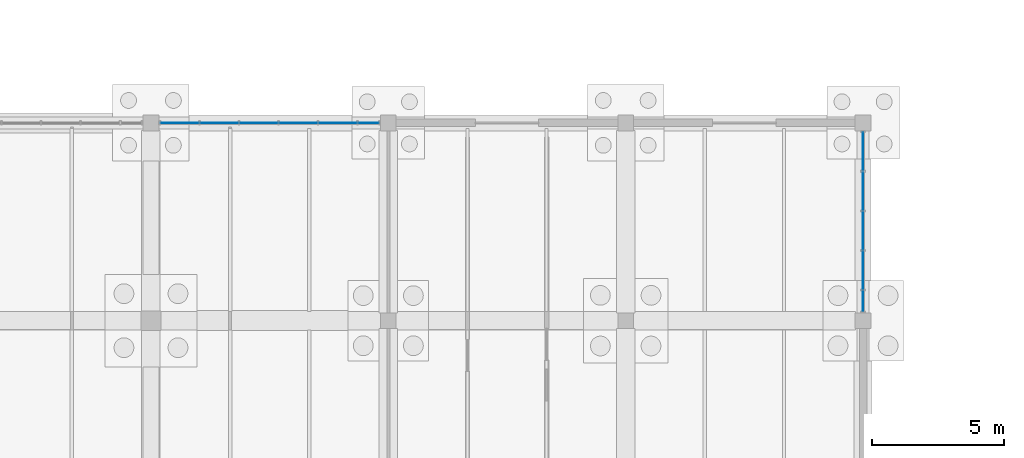
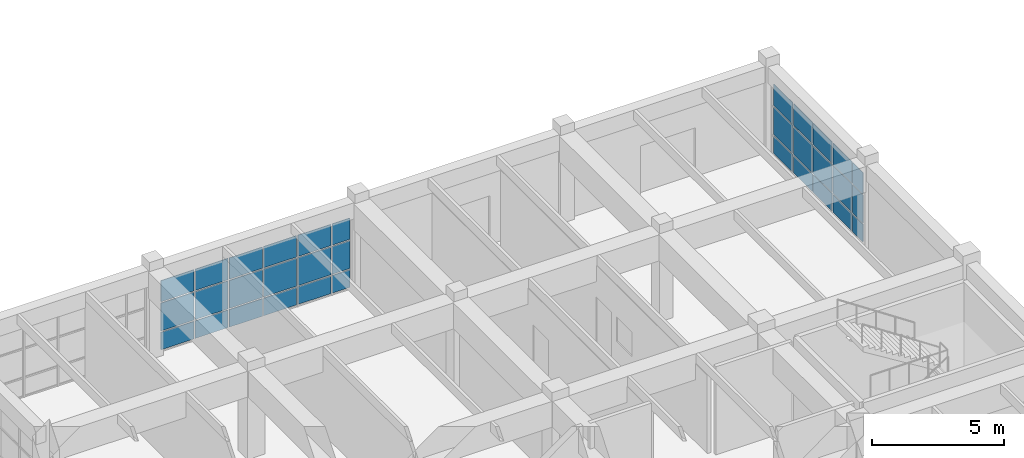
# One storey, part 52 of 93: 33 plates, 2 elements without a shape of their own.
"""IFC4 building model written with IfcOpenShell, lengths in metres."""

from ifc_helpers import new_model, si_unit, direction, frame, origin, origin_2d, place, context, subcontext, project, spatial, rectangle, extrude, material, layer, layer_set, type_object, element, aggregate, save


model = new_model("IFC4")

# Units and contexts
model_context = context("Model", 3, precision=1e-05, world=origin(), true_north=direction((0.0, 1.0)))
body_context = subcontext(model_context, "Body", "Model", "MODEL_VIEW")
ifc_project = project(units=[si_unit("LENGTHUNIT", "METRE"), si_unit("AREAUNIT", "SQUARE_METRE"), si_unit("VOLUMEUNIT", "CUBIC_METRE"), si_unit("PLANEANGLEUNIT", "RADIAN"), si_unit("MASSUNIT", "GRAM", prefix="KILO")], contexts=[model_context])

# Site, building, storey
site_placement = place(None, origin())
site = spatial("IfcSite", under=ifc_project, at=site_placement, CompositionType="ELEMENT")
building_placement = place(site_placement, origin())
building = spatial("IfcBuilding", under=site, at=building_placement, Name="Marnridge Secondary College", CompositionType="ELEMENT")
storey_placement = place(building_placement, origin())
storey = spatial("IfcBuildingStorey", under=building, at=storey_placement, Name="L00", CompositionType="ELEMENT", Elevation=0.0)

# Curtain wall, plates
ifc_material_1 = material(Name="Thermally broken aluminium and low-E glazing", Category="aluminium")
ifc_layer_1 = layer(ifc_material_1, 0.159912109375)
ifc_layer_set_1 = layer_set([ifc_layer_1], Name="CW-MOD-1500")
curtain_wall_type = type_object("IfcCurtainWallType", Name="CW-MOD-1500", PredefinedType="NOTDEFINED", material=ifc_layer_set_1)
curtain_wall_1_placement = place(storey_placement, origin())
curtain_wall_1 = element("IfcCurtainWall", 1, at=curtain_wall_1_placement, inside=storey, type_object=curtain_wall_type, Name="Unitised curtain wall CW-L00-002", PredefinedType="NOTDEFINED")
ifc_material_2 = material(Name="Double-glazed low-E argon unit", Category="glass")
ifc_layer_2 = layer(ifc_material_2, 0.028076171875)
ifc_layer_set_2 = layer_set([ifc_layer_2], Name="CWP-GLZ28")
plate_type = type_object("IfcPlateType", Name="CWP-GLZ28", PredefinedType="CURTAIN_PANEL", material=ifc_layer_set_2)
plate_1_placement = place(storey_placement, frame((64.083984375, 82.5, 0.06005859375), z_axis=(0.0, 0.0, 1.0), x_axis=(1.0, 0.0, 0.0)))
plate_1 = element("IfcPlate", 2, at=plate_1_placement, type_object=plate_type, Name="CW-L00-002 panel 1.1", PredefinedType="CURTAIN_PANEL", context=body_context, shape_type="SweptSolid", body=[
    extrude(rectangle(XDim=1.43994140625, YDim=0.028076171875, at=origin_2d()), origin(), (0.0, 0.0, 1.0), 0.81005859375),
])
plate_2_placement = place(storey_placement, frame((64.083984375, 82.5, 0.929931640625), z_axis=(0.0, 0.0, 1.0), x_axis=(1.0, 0.0, 0.0)))
plate_2 = element("IfcPlate", 3, at=plate_2_placement, type_object=plate_type, Name="CW-L00-002 panel 1.2", PredefinedType="CURTAIN_PANEL", context=body_context, shape_type="SweptSolid", body=[
    extrude(rectangle(XDim=1.43994140625, YDim=0.028076171875, at=origin_2d()), origin(), (0.0, 0.0, 1.0), 1.2900390625),
])
plate_3_placement = place(storey_placement, frame((64.083984375, 82.5, 2.280029296875), z_axis=(0.0, 0.0, 1.0), x_axis=(1.0, 0.0, 0.0)))
plate_3 = element("IfcPlate", 4, at=plate_3_placement, type_object=plate_type, Name="CW-L00-002 panel 1.3", PredefinedType="CURTAIN_PANEL", context=body_context, shape_type="SweptSolid", body=[
    extrude(rectangle(XDim=1.43994140625, YDim=0.028076171875, at=origin_2d()), origin(), (0.0, 0.0, 1.0), 0.98193359375),
])
plate_4_placement = place(storey_placement, frame((65.583984375, 82.5, 0.06005859375), z_axis=(0.0, 0.0, 1.0), x_axis=(1.0, 0.0, 0.0)))
plate_4 = element("IfcPlate", 5, at=plate_4_placement, type_object=plate_type, Name="CW-L00-002 panel 2.1", PredefinedType="CURTAIN_PANEL", context=body_context, shape_type="SweptSolid", body=[
    extrude(rectangle(XDim=1.43994140625, YDim=0.028076171875, at=origin_2d()), origin(), (0.0, 0.0, 1.0), 0.81005859375),
])
plate_5_placement = place(storey_placement, frame((65.583984375, 82.5, 0.929931640625), z_axis=(0.0, 0.0, 1.0), x_axis=(1.0, 0.0, 0.0)))
plate_5 = element("IfcPlate", 6, at=plate_5_placement, type_object=plate_type, Name="CW-L00-002 panel 2.2", PredefinedType="CURTAIN_PANEL", context=body_context, shape_type="SweptSolid", body=[
    extrude(rectangle(XDim=1.43994140625, YDim=0.028076171875, at=origin_2d()), origin(), (0.0, 0.0, 1.0), 1.2900390625),
])
plate_6_placement = place(storey_placement, frame((65.583984375, 82.5, 2.280029296875), z_axis=(0.0, 0.0, 1.0), x_axis=(1.0, 0.0, 0.0)))
plate_6 = element("IfcPlate", 7, at=plate_6_placement, type_object=plate_type, Name="CW-L00-002 panel 2.3", PredefinedType="CURTAIN_PANEL", context=body_context, shape_type="SweptSolid", body=[
    extrude(rectangle(XDim=1.43994140625, YDim=0.028076171875, at=origin_2d()), origin(), (0.0, 0.0, 1.0), 0.98193359375),
])
plate_7_placement = place(storey_placement, frame((67.083984375, 82.5, 0.06005859375), z_axis=(0.0, 0.0, 1.0), x_axis=(1.0, 0.0, 0.0)))
plate_7 = element("IfcPlate", 8, at=plate_7_placement, type_object=plate_type, Name="CW-L00-002 panel 3.1", PredefinedType="CURTAIN_PANEL", context=body_context, shape_type="SweptSolid", body=[
    extrude(rectangle(XDim=1.43994140625, YDim=0.028076171875, at=origin_2d()), origin(), (0.0, 0.0, 1.0), 0.81005859375),
])
plate_8_placement = place(storey_placement, frame((67.083984375, 82.5, 0.929931640625), z_axis=(0.0, 0.0, 1.0), x_axis=(1.0, 0.0, 0.0)))
plate_8 = element("IfcPlate", 9, at=plate_8_placement, type_object=plate_type, Name="CW-L00-002 panel 3.2", PredefinedType="CURTAIN_PANEL", context=body_context, shape_type="SweptSolid", body=[
    extrude(rectangle(XDim=1.43994140625, YDim=0.028076171875, at=origin_2d()), origin(), (0.0, 0.0, 1.0), 1.2900390625),
])
plate_9_placement = place(storey_placement, frame((67.083984375, 82.5, 2.280029296875), z_axis=(0.0, 0.0, 1.0), x_axis=(1.0, 0.0, 0.0)))
plate_9 = element("IfcPlate", 10, at=plate_9_placement, type_object=plate_type, Name="CW-L00-002 panel 3.3", PredefinedType="CURTAIN_PANEL", context=body_context, shape_type="SweptSolid", body=[
    extrude(rectangle(XDim=1.43994140625, YDim=0.028076171875, at=origin_2d()), origin(), (0.0, 0.0, 1.0), 0.98193359375),
])
plate_10_placement = place(storey_placement, frame((68.583984375, 82.5, 0.06005859375), z_axis=(0.0, 0.0, 1.0), x_axis=(1.0, 0.0, 0.0)))
plate_10 = element("IfcPlate", 11, at=plate_10_placement, type_object=plate_type, Name="CW-L00-002 panel 4.1", PredefinedType="CURTAIN_PANEL", context=body_context, shape_type="SweptSolid", body=[
    extrude(rectangle(XDim=1.43994140625, YDim=0.028076171875, at=origin_2d()), origin(), (0.0, 0.0, 1.0), 0.81005859375),
])
plate_11_placement = place(storey_placement, frame((68.583984375, 82.5, 0.929931640625), z_axis=(0.0, 0.0, 1.0), x_axis=(1.0, 0.0, 0.0)))
plate_11 = element("IfcPlate", 12, at=plate_11_placement, type_object=plate_type, Name="CW-L00-002 panel 4.2", PredefinedType="CURTAIN_PANEL", context=body_context, shape_type="SweptSolid", body=[
    extrude(rectangle(XDim=1.43994140625, YDim=0.028076171875, at=origin_2d()), origin(), (0.0, 0.0, 1.0), 1.2900390625),
])
plate_12_placement = place(storey_placement, frame((68.583984375, 82.5, 2.280029296875), z_axis=(0.0, 0.0, 1.0), x_axis=(1.0, 0.0, 0.0)))
plate_12 = element("IfcPlate", 13, at=plate_12_placement, type_object=plate_type, Name="CW-L00-002 panel 4.3", PredefinedType="CURTAIN_PANEL", context=body_context, shape_type="SweptSolid", body=[
    extrude(rectangle(XDim=1.43994140625, YDim=0.028076171875, at=origin_2d()), origin(), (0.0, 0.0, 1.0), 0.98193359375),
])
plate_13_placement = place(storey_placement, frame((70.083984375, 82.5, 0.06005859375), z_axis=(0.0, 0.0, 1.0), x_axis=(1.0, 0.0, 0.0)))
plate_13 = element("IfcPlate", 14, at=plate_13_placement, type_object=plate_type, Name="CW-L00-002 panel 5.1", PredefinedType="CURTAIN_PANEL", context=body_context, shape_type="SweptSolid", body=[
    extrude(rectangle(XDim=1.43994140625, YDim=0.028076171875, at=origin_2d()), origin(), (0.0, 0.0, 1.0), 0.81005859375),
])
plate_14_placement = place(storey_placement, frame((70.083984375, 82.5, 0.929931640625), z_axis=(0.0, 0.0, 1.0), x_axis=(1.0, 0.0, 0.0)))
plate_14 = element("IfcPlate", 15, at=plate_14_placement, type_object=plate_type, Name="CW-L00-002 panel 5.2", PredefinedType="CURTAIN_PANEL", context=body_context, shape_type="SweptSolid", body=[
    extrude(rectangle(XDim=1.43994140625, YDim=0.028076171875, at=origin_2d()), origin(), (0.0, 0.0, 1.0), 1.2900390625),
])
plate_15_placement = place(storey_placement, frame((70.083984375, 82.5, 2.280029296875), z_axis=(0.0, 0.0, 1.0), x_axis=(1.0, 0.0, 0.0)))
plate_15 = element("IfcPlate", 16, at=plate_15_placement, type_object=plate_type, Name="CW-L00-002 panel 5.3", PredefinedType="CURTAIN_PANEL", context=body_context, shape_type="SweptSolid", body=[
    extrude(rectangle(XDim=1.43994140625, YDim=0.028076171875, at=origin_2d()), origin(), (0.0, 0.0, 1.0), 0.98193359375),
])
plate_16_placement = place(storey_placement, frame((71.25, 82.5, 0.06005859375), z_axis=(0.0, 0.0, 1.0), x_axis=(1.0, 0.0, 0.0)))
plate_16 = element("IfcPlate", 17, at=plate_16_placement, type_object=plate_type, Name="CW-L00-002 panel 6.1", PredefinedType="CURTAIN_PANEL", context=body_context, shape_type="SweptSolid", body=[
    extrude(rectangle(XDim=0.77197265625, YDim=0.028076171875, at=origin_2d()), origin(), (0.0, 0.0, 1.0), 0.81005859375),
])
plate_17_placement = place(storey_placement, frame((71.25, 82.5, 0.929931640625), z_axis=(0.0, 0.0, 1.0), x_axis=(1.0, 0.0, 0.0)))
plate_17 = element("IfcPlate", 18, at=plate_17_placement, type_object=plate_type, Name="CW-L00-002 panel 6.2", PredefinedType="CURTAIN_PANEL", context=body_context, shape_type="SweptSolid", body=[
    extrude(rectangle(XDim=0.77197265625, YDim=0.028076171875, at=origin_2d()), origin(), (0.0, 0.0, 1.0), 1.2900390625),
])
plate_18_placement = place(storey_placement, frame((71.25, 82.5, 2.280029296875), z_axis=(0.0, 0.0, 1.0), x_axis=(1.0, 0.0, 0.0)))
plate_18 = element("IfcPlate", 19, at=plate_18_placement, type_object=plate_type, Name="CW-L00-002 panel 6.3", PredefinedType="CURTAIN_PANEL", context=body_context, shape_type="SweptSolid", body=[
    extrude(rectangle(XDim=0.77197265625, YDim=0.028076171875, at=origin_2d()), origin(), (0.0, 0.0, 1.0), 0.98193359375),
])
aggregate(curtain_wall_1, [plate_1, plate_2, plate_3, plate_4, plate_5, plate_6, plate_7, plate_8, plate_9, plate_10, plate_11, plate_12, plate_13, plate_14, plate_15, plate_16, plate_17, plate_18])

curtain_wall_2_placement = place(storey_placement, origin())
curtain_wall_2 = element("IfcCurtainWall", 20, at=curtain_wall_2_placement, inside=storey, type_object=curtain_wall_type, Name="Unitised curtain wall CW-L00-003", PredefinedType="NOTDEFINED")
plate_19_placement = place(storey_placement, frame((90.0, 81.416015625, 0.06005859375), z_axis=(0.0, 0.0, 1.0), x_axis=(0.0, -1.0, 0.0)))
plate_19 = element("IfcPlate", 21, at=plate_19_placement, type_object=plate_type, Name="CW-L00-003 panel 1.1", PredefinedType="CURTAIN_PANEL", context=body_context, shape_type="SweptSolid", body=[
    extrude(rectangle(XDim=1.43994140625, YDim=0.028076171875, at=origin_2d()), origin(), (0.0, 0.0, 1.0), 0.81005859375),
])
plate_20_placement = place(storey_placement, frame((90.0, 81.416015625, 0.929931640625), z_axis=(0.0, 0.0, 1.0), x_axis=(0.0, -1.0, 0.0)))
plate_20 = element("IfcPlate", 22, at=plate_20_placement, type_object=plate_type, Name="CW-L00-003 panel 1.2", PredefinedType="CURTAIN_PANEL", context=body_context, shape_type="SweptSolid", body=[
    extrude(rectangle(XDim=1.43994140625, YDim=0.028076171875, at=origin_2d()), origin(), (0.0, 0.0, 1.0), 1.2900390625),
])
plate_21_placement = place(storey_placement, frame((90.0, 81.416015625, 2.280029296875), z_axis=(0.0, 0.0, 1.0), x_axis=(0.0, -1.0, 0.0)))
plate_21 = element("IfcPlate", 23, at=plate_21_placement, type_object=plate_type, Name="CW-L00-003 panel 1.3", PredefinedType="CURTAIN_PANEL", context=body_context, shape_type="SweptSolid", body=[
    extrude(rectangle(XDim=1.43994140625, YDim=0.028076171875, at=origin_2d()), origin(), (0.0, 0.0, 1.0), 0.98193359375),
])
plate_22_placement = place(storey_placement, frame((90.0, 79.916015625, 0.06005859375), z_axis=(0.0, 0.0, 1.0), x_axis=(0.0, -1.0, 0.0)))
plate_22 = element("IfcPlate", 24, at=plate_22_placement, type_object=plate_type, Name="CW-L00-003 panel 2.1", PredefinedType="CURTAIN_PANEL", context=body_context, shape_type="SweptSolid", body=[
    extrude(rectangle(XDim=1.43994140625, YDim=0.028076171875, at=origin_2d()), origin(), (0.0, 0.0, 1.0), 0.81005859375),
])
plate_23_placement = place(storey_placement, frame((90.0, 79.916015625, 0.929931640625), z_axis=(0.0, 0.0, 1.0), x_axis=(0.0, -1.0, 0.0)))
plate_23 = element("IfcPlate", 25, at=plate_23_placement, type_object=plate_type, Name="CW-L00-003 panel 2.2", PredefinedType="CURTAIN_PANEL", context=body_context, shape_type="SweptSolid", body=[
    extrude(rectangle(XDim=1.43994140625, YDim=0.028076171875, at=origin_2d()), origin(), (0.0, 0.0, 1.0), 1.2900390625),
])
plate_24_placement = place(storey_placement, frame((90.0, 79.916015625, 2.280029296875), z_axis=(0.0, 0.0, 1.0), x_axis=(0.0, -1.0, 0.0)))
plate_24 = element("IfcPlate", 26, at=plate_24_placement, type_object=plate_type, Name="CW-L00-003 panel 2.3", PredefinedType="CURTAIN_PANEL", context=body_context, shape_type="SweptSolid", body=[
    extrude(rectangle(XDim=1.43994140625, YDim=0.028076171875, at=origin_2d()), origin(), (0.0, 0.0, 1.0), 0.98193359375),
])
plate_25_placement = place(storey_placement, frame((90.0, 78.416015625, 0.06005859375), z_axis=(0.0, 0.0, 1.0), x_axis=(0.0, -1.0, 0.0)))
plate_25 = element("IfcPlate", 27, at=plate_25_placement, type_object=plate_type, Name="CW-L00-003 panel 3.1", PredefinedType="CURTAIN_PANEL", context=body_context, shape_type="SweptSolid", body=[
    extrude(rectangle(XDim=1.43994140625, YDim=0.028076171875, at=origin_2d()), origin(), (0.0, 0.0, 1.0), 0.81005859375),
])
plate_26_placement = place(storey_placement, frame((90.0, 78.416015625, 0.929931640625), z_axis=(0.0, 0.0, 1.0), x_axis=(0.0, -1.0, 0.0)))
plate_26 = element("IfcPlate", 28, at=plate_26_placement, type_object=plate_type, Name="CW-L00-003 panel 3.2", PredefinedType="CURTAIN_PANEL", context=body_context, shape_type="SweptSolid", body=[
    extrude(rectangle(XDim=1.43994140625, YDim=0.028076171875, at=origin_2d()), origin(), (0.0, 0.0, 1.0), 1.2900390625),
])
plate_27_placement = place(storey_placement, frame((90.0, 78.416015625, 2.280029296875), z_axis=(0.0, 0.0, 1.0), x_axis=(0.0, -1.0, 0.0)))
plate_27 = element("IfcPlate", 29, at=plate_27_placement, type_object=plate_type, Name="CW-L00-003 panel 3.3", PredefinedType="CURTAIN_PANEL", context=body_context, shape_type="SweptSolid", body=[
    extrude(rectangle(XDim=1.43994140625, YDim=0.028076171875, at=origin_2d()), origin(), (0.0, 0.0, 1.0), 0.98193359375),
])
plate_28_placement = place(storey_placement, frame((90.0, 76.916015625, 0.06005859375), z_axis=(0.0, 0.0, 1.0), x_axis=(0.0, -1.0, 0.0)))
plate_28 = element("IfcPlate", 30, at=plate_28_placement, type_object=plate_type, Name="CW-L00-003 panel 4.1", PredefinedType="CURTAIN_PANEL", context=body_context, shape_type="SweptSolid", body=[
    extrude(rectangle(XDim=1.43994140625, YDim=0.028076171875, at=origin_2d()), origin(), (0.0, 0.0, 1.0), 0.81005859375),
])
plate_29_placement = place(storey_placement, frame((90.0, 76.916015625, 0.929931640625), z_axis=(0.0, 0.0, 1.0), x_axis=(0.0, -1.0, 0.0)))
plate_29 = element("IfcPlate", 31, at=plate_29_placement, type_object=plate_type, Name="CW-L00-003 panel 4.2", PredefinedType="CURTAIN_PANEL", context=body_context, shape_type="SweptSolid", body=[
    extrude(rectangle(XDim=1.43994140625, YDim=0.028076171875, at=origin_2d()), origin(), (0.0, 0.0, 1.0), 1.2900390625),
])
plate_30_placement = place(storey_placement, frame((90.0, 76.916015625, 2.280029296875), z_axis=(0.0, 0.0, 1.0), x_axis=(0.0, -1.0, 0.0)))
plate_30 = element("IfcPlate", 32, at=plate_30_placement, type_object=plate_type, Name="CW-L00-003 panel 4.3", PredefinedType="CURTAIN_PANEL", context=body_context, shape_type="SweptSolid", body=[
    extrude(rectangle(XDim=1.43994140625, YDim=0.028076171875, at=origin_2d()), origin(), (0.0, 0.0, 1.0), 0.98193359375),
])
plate_31_placement = place(storey_placement, frame((90.0, 75.75, 0.06005859375), z_axis=(0.0, 0.0, 1.0), x_axis=(0.0, -1.0, 0.0)))
plate_31 = element("IfcPlate", 33, at=plate_31_placement, type_object=plate_type, Name="CW-L00-003 panel 5.1", PredefinedType="CURTAIN_PANEL", context=body_context, shape_type="SweptSolid", body=[
    extrude(rectangle(XDim=0.77197265625, YDim=0.028076171875, at=origin_2d()), origin(), (0.0, 0.0, 1.0), 0.81005859375),
])
plate_32_placement = place(storey_placement, frame((90.0, 75.75, 0.929931640625), z_axis=(0.0, 0.0, 1.0), x_axis=(0.0, -1.0, 0.0)))
plate_32 = element("IfcPlate", 34, at=plate_32_placement, type_object=plate_type, Name="CW-L00-003 panel 5.2", PredefinedType="CURTAIN_PANEL", context=body_context, shape_type="SweptSolid", body=[
    extrude(rectangle(XDim=0.77197265625, YDim=0.028076171875, at=origin_2d()), origin(), (0.0, 0.0, 1.0), 1.2900390625),
])
plate_33_placement = place(storey_placement, frame((90.0, 75.75, 2.280029296875), z_axis=(0.0, 0.0, 1.0), x_axis=(0.0, -1.0, 0.0)))
plate_33 = element("IfcPlate", 35, at=plate_33_placement, type_object=plate_type, Name="CW-L00-003 panel 5.3", PredefinedType="CURTAIN_PANEL", context=body_context, shape_type="SweptSolid", body=[
    extrude(rectangle(XDim=0.77197265625, YDim=0.028076171875, at=origin_2d()), origin(), (0.0, 0.0, 1.0), 0.98193359375),
])
aggregate(curtain_wall_2, [plate_19, plate_20, plate_21, plate_22, plate_23, plate_24, plate_25, plate_26, plate_27, plate_28, plate_29, plate_30, plate_31, plate_32, plate_33])

save(model, "model.ifc")
